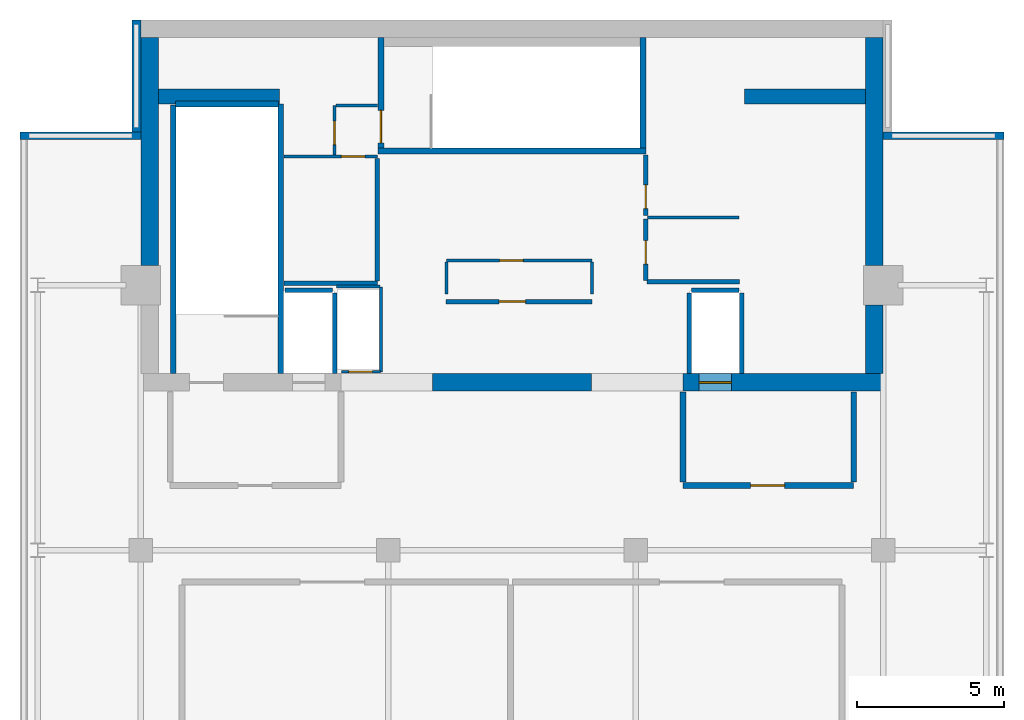
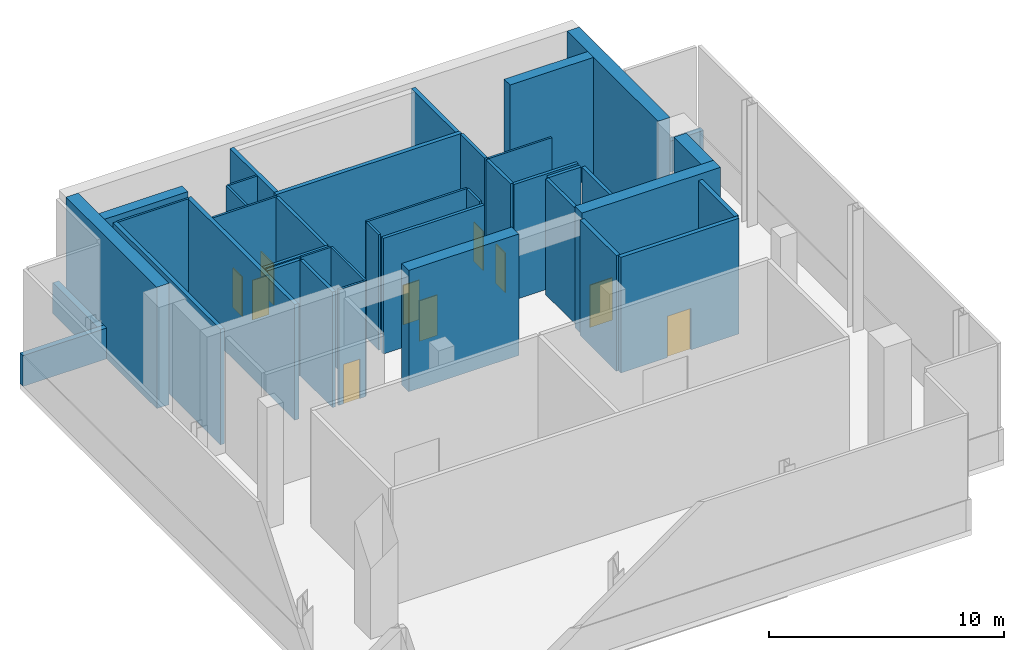
# One storey, part 2 of 4: 40 walls, 10 doors, 10 openings.
"""IFC4 building model written with IfcOpenShell, lengths in metres."""

import ifcopenshell
import ifcopenshell.guid

model = None  # the IFC model being written
_history = None  # IfcOwnerHistory: only IFC2X3 demands one
_inside = {}  # id of a spatial element -> (the spatial element, [elements in it])
_under = {}  # id of a project, library or spatial element -> (it, [spatial elements below it])
_declared = {}  # id of a project -> (the project, [libraries it declares])
_typed = {}  # id of a type object -> (the type object, [elements of that type])
_made_of = {}  # id of a material, layer set ... -> (it, [elements and type objects made of it])


def new_model(schema):
    """Start an empty IFC model of exactly this schema.

    Asked for "IFC4X3", IfcOpenShell would pick the latest addendum, in which some entities
    have other attributes; the version numbers below select the first issue.
    IFC2X3 requires an IfcOwnerHistory on every rooted entity: one is made here for all.
    """
    global model, _history
    if schema == "IFC4X3":
        model = ifcopenshell.file(schema_version=(4, 3, 0, 0))
    else:
        model = ifcopenshell.file(schema=schema)
    _inside.clear()
    _under.clear()
    _declared.clear()
    _typed.clear()
    _made_of.clear()
    _history = None
    if model.schema == "IFC2X3":
        org = make("IfcOrganization", Name="unknown")
        user = make(
            "IfcPersonAndOrganization",
            ThePerson=make("IfcPerson", FamilyName="unknown"),
            TheOrganization=org,
        )
        app = make(
            "IfcApplication",
            ApplicationDeveloper=org,
            Version="unknown",
            ApplicationFullName="unknown",
            ApplicationIdentifier="unknown",
        )
        _history = make(
            "IfcOwnerHistory",
            OwningUser=user,
            OwningApplication=app,
            ChangeAction="ADDED",
            CreationDate=0,
        )
    return model


def make(cls, **values):
    """One entity of the class cls with the attributes given. An attribute that is None is left unset."""
    return model.create_entity(
        cls, **{name: value for name, value in values.items() if value is not None}
    )


def rooted(cls, **values):
    """An entity with a GlobalId (a new one), such as an element, a storey or a relation."""
    return make(cls, GlobalId=ifcopenshell.guid.new(), OwnerHistory=_history, **values)


def si_unit(unit_type, name, prefix=None):
    """IfcSIUnit, for example si_unit("LENGTHUNIT", "METRE", prefix="MILLI")."""
    return make("IfcSIUnit", UnitType=unit_type, Prefix=prefix, Name=name)


def assignment(units):
    """IfcUnitAssignment: the units of a project."""
    return None if units is None else make("IfcUnitAssignment", Units=units)


def point(xyz):
    """IfcCartesianPoint."""
    return None if xyz is None else make("IfcCartesianPoint", Coordinates=xyz)


def direction(xyz):
    """IfcDirection."""
    return None if xyz is None else make("IfcDirection", DirectionRatios=xyz)


def frame(location, z_axis=None, x_axis=None):
    """IfcAxis2Placement3D, a coordinate frame: its origin and axes. An axis left out is left unset."""
    return make(
        "IfcAxis2Placement3D",
        Location=point(location),
        Axis=direction(z_axis),
        RefDirection=direction(x_axis),
    )


def frame_2d(location, x_axis=None):
    """IfcAxis2Placement2D, a coordinate frame in the plane: its origin and x axis."""
    return make(
        "IfcAxis2Placement2D", Location=point(location), RefDirection=direction(x_axis)
    )


def origin():
    """The frame at (0, 0, 0) with its axes left unset."""
    return frame((0.0, 0.0, 0.0))


def place(relative_to, where):
    """IfcLocalPlacement: puts the frame where relative to a parent placement (None: the world)."""
    return make(
        "IfcLocalPlacement", PlacementRelTo=relative_to, RelativePlacement=where
    )


def context(
    kind, dimensions, precision=None, world=None, true_north=None, identifier=None
):
    """IfcGeometricRepresentationContext, for example the 3D "Model" context."""
    return make(
        "IfcGeometricRepresentationContext",
        ContextIdentifier=identifier,
        ContextType=kind,
        CoordinateSpaceDimension=dimensions,
        Precision=precision,
        WorldCoordinateSystem=world,
        TrueNorth=true_north,
    )


def subcontext(parent, identifier, kind, view, scale=None):
    """IfcGeometricRepresentationSubContext, for example "Body" below "Model"."""
    return make(
        "IfcGeometricRepresentationSubContext",
        ContextIdentifier=identifier,
        ContextType=kind,
        ParentContext=parent,
        TargetScale=scale,
        TargetView=view,
    )


def project(units=None, contexts=None):
    """IfcProject with its units and contexts."""
    return rooted(
        "IfcProject",
        Name="project",
        RepresentationContexts=contexts,
        UnitsInContext=assignment(units),
    )


def spatial(cls, under=None, at=None, **own):
    """A site, building, storey or space (cls), placed at a placement, below another one or the project."""
    s = rooted(cls, ObjectPlacement=at, **own)
    if under is not None:
        _under.setdefault(under.id(), (under, []))[1].append(s)
    return s


def profile(cls, at=None, kind="AREA", **sizes):
    """A parametric profile (cls). Its sizes go by their IFC names, for example OverallWidth=200.0."""
    return make(cls, ProfileType=kind, Position=at, **sizes)


def rectangle(**sizes):
    """IfcRectangleProfileDef."""
    return profile("IfcRectangleProfileDef", **sizes)


def extrude(swept, where, along, depth):
    """IfcExtrudedAreaSolid: the profile swept, set in the frame where, extruded along a direction by depth."""
    return make(
        "IfcExtrudedAreaSolid",
        SweptArea=swept,
        Position=where,
        ExtrudedDirection=direction(along),
        Depth=depth,
    )


def shape(context_of_items, identifier, shape_type, items):
    """IfcShapeRepresentation: the items that make up one representation, for example the "Body"."""
    return make(
        "IfcShapeRepresentation",
        ContextOfItems=context_of_items,
        RepresentationIdentifier=identifier,
        RepresentationType=shape_type,
        Items=items,
    )


def material(Name=None, Category=None):
    """IfcMaterial."""
    return make("IfcMaterial", Name=Name, Category=Category)


def layer(
    of_material, thickness, ventilated=None, Name=None, Category=None, Priority=None
):
    """IfcMaterialLayer: one layer of a wall or slab, of a material (None: an air gap)."""
    return make(
        "IfcMaterialLayer",
        Material=of_material,
        LayerThickness=thickness,
        IsVentilated=ventilated,
        Name=Name,
        Category=Category,
        Priority=Priority,
    )


def layer_set(layers, Name=None):
    """IfcMaterialLayerSet."""
    return make("IfcMaterialLayerSet", MaterialLayers=layers, LayerSetName=Name)


def made_of(thing, what):
    """Note that an element or type object is made of a material, layer set ...; save() writes the relation."""
    if what is not None:
        _made_of.setdefault(what.id(), (what, []))[1].append(thing)
    return thing


def type_object(cls, material=None, **own):
    """A type object (cls), such as IfcWallType, which elements share."""
    return made_of(rooted(cls, **own), material)


def element(
    cls,
    number,
    at=None,
    inside=None,
    cuts=None,
    type_object=None,
    material=None,
    context=None,
    identifier="Body",
    shape_type=None,
    held_by="IfcProductDefinitionShape",
    body=None,
    shapes=None,
    **own,
):
    """One element of the class cls, such as IfcWall. Its Tag is "e" and its number.

    at: its placement. inside: the storey or other place that contains it. cuts: it is an
    opening in that element (IfcRelVoidsElement). A single representation is given by context,
    identifier, shape_type and body (its items); several are given by shapes. held_by: the class
    of the entity that holds the representations. save() writes the other relations.
    """
    e = rooted(cls, Tag="e%d" % number, ObjectPlacement=at, **own)
    if body is not None:
        shapes = [shape(context, identifier, shape_type, body)]
    if shapes is not None:
        e.Representation = make(held_by, Representations=shapes)
    if inside is not None:
        _inside.setdefault(inside.id(), (inside, []))[1].append(e)
    if cuts is not None:
        rooted(
            "IfcRelVoidsElement", RelatingBuildingElement=cuts, RelatedOpeningElement=e
        )
    if type_object is not None:
        _typed.setdefault(type_object.id(), (type_object, []))[1].append(e)
    return made_of(e, material)


def fill(opening, filler):
    """IfcRelFillsElement: the door or window that sits in an opening."""
    return rooted(
        "IfcRelFillsElement",
        RelatingOpeningElement=opening,
        RelatedBuildingElement=filler,
    )


def aggregate(whole, parts):
    """IfcRelAggregates: a whole, such as a stair, and the parts it consists of."""
    return rooted("IfcRelAggregates", RelatingObject=whole, RelatedObjects=parts)


def save(model, path):
    """Write the relations noted so far, then the file.

    IfcRelAggregates (storeys below a building ...), IfcRelContainedInSpatialStructure (elements
    in a storey), IfcRelDefinesByType, IfcRelAssociatesMaterial and IfcRelDeclares: one each for
    every whole, place, type object, material and project.
    """
    for whole, parts in _under.values():
        aggregate(whole, parts)
    for where, things in _inside.values():
        rooted(
            "IfcRelContainedInSpatialStructure",
            RelatedElements=things,
            RelatingStructure=where,
        )
    for kind, things in _typed.values():
        rooted("IfcRelDefinesByType", RelatedObjects=things, RelatingType=kind)
    for what, things in _made_of.values():
        rooted("IfcRelAssociatesMaterial", RelatedObjects=things, RelatingMaterial=what)
    for by, libraries in _declared.values():
        rooted("IfcRelDeclares", RelatingContext=by, RelatedDefinitions=libraries)
    model.write(path)


model = new_model("IFC4")

# Units and contexts
model_context = context("Model", 3, precision=1e-05, world=origin(), true_north=direction((0.0, 1.0)))
body_context = subcontext(model_context, "Body", "Model", "MODEL_VIEW")
ifc_project = project(units=[si_unit("LENGTHUNIT", "METRE"), si_unit("AREAUNIT", "SQUARE_METRE"), si_unit("VOLUMEUNIT", "CUBIC_METRE"), si_unit("PLANEANGLEUNIT", "RADIAN"), si_unit("MASSUNIT", "GRAM", prefix="KILO")], contexts=[model_context])

# Site, building, storey
site_placement = place(None, origin())
site = spatial("IfcSite", under=ifc_project, at=site_placement, CompositionType="ELEMENT")
building_placement = place(site_placement, origin())
building = spatial("IfcBuilding", under=site, at=building_placement, Name="Maruvema Waterfront Hotel and Observation Tower", CompositionType="ELEMENT")
storey_placement = place(building_placement, frame((0.0, 0.0, 369.949951171875)))
storey = spatial("IfcBuildingStorey", under=building, at=storey_placement, Name="L90", CompositionType="ELEMENT", Elevation=369.949951171875)

# Wall, opening, door
ifc_material_1 = material(Name="Twin-stud acoustic gypsum drywall", Category="gypsum")
ifc_layer_1 = layer(ifc_material_1, 0.14990234375, Name="Acoustic Corridor and Suite Demising Wall 150 mm")
ifc_layer_set_1 = layer_set([ifc_layer_1], Name="Twin-stud acoustic gypsum drywall")
wall_type_1 = type_object("IfcWallType", Name="Acoustic Corridor and Suite Demising Wall 150 mm", PredefinedType="PARTITIONING", material=ifc_layer_set_1)
wall_1_placement = place(storey_placement, frame((35.56005859375, 44.43994140625, 0.0), z_axis=(0.0, 0.0, 1.0), x_axis=(1.0, 0.0, 0.0)))
wall_1 = element("IfcWall", 1, at=wall_1_placement, inside=storey, type_object=wall_type_1, Name="L90 Freed B3 Wall 013", PredefinedType="PARTITIONING", context=body_context, shape_type="SweptSolid", body=[
    extrude(rectangle(XDim=4.9599609375, YDim=0.14990234375, at=frame_2d((2.47998046875, 0.0))), origin(), (0.0, 0.0, 1.0), 6.0),
])
opening_1_placement = place(wall_1_placement, frame((1.800048828125, 0.0, 0.0)))
opening_1 = element("IfcOpeningElement", 2, at=opening_1_placement, cuts=wall_1, Name="Opening DR-090", PredefinedType="OPENING", context=body_context, shape_type="SweptSolid", body=[
    extrude(rectangle(XDim=0.89990234375, YDim=2.10009765625, at=frame_2d((0.449951171875, 1.050048828125))), frame((0.0, 0.0849609375, 0.0), z_axis=(0.0, -1.0, 0.0), x_axis=(1.0, 0.0, 0.0)), (0.0, 0.0, 1.0), 0.169921875),
])
ifc_material_2 = material(Name="Solid-core lacquered timber leaf", Category="wood")
door_type_1 = type_object("IfcDoorType", Name="Accessible Toilet and Room Door 900x2100 mm", OperationType="NOTDEFINED", PredefinedType="DOOR", material=ifc_material_2)
door_1_placement = place(opening_1_placement, origin())
door_1 = element("IfcDoor", 3, at=door_1_placement, inside=storey, type_object=door_type_1, Name="L90 Freed B3 Door", OperationType="SINGLE_SWING_RIGHT", OverallHeight=2.10009765625, OverallWidth=0.89990234375, PredefinedType="DOOR", context=body_context, shape_type="SweptSolid", body=[
    extrude(rectangle(XDim=0.89990234375, YDim=2.10009765625, at=frame_2d((0.449951171875, 1.050048828125))), frame((0.0, 0.02490234375, 0.0), z_axis=(0.0, -1.0, 0.0), x_axis=(1.0, 0.0, 0.0)), (0.0, 0.0, 1.0), 0.050048828125),
])
fill(opening_1, door_1)

# Walls
wall_2_placement = place(storey_placement, frame((30.06005859375, 45.06005859375, 0.0), z_axis=(0.0, 0.0, 1.0), x_axis=(1.0, 0.0, 0.0)))
element("IfcWall", 4, at=wall_2_placement, inside=storey, type_object=wall_type_1, Name="L90 Freed B1 South Wall 014", PredefinedType="PARTITIONING", context=body_context, shape_type="SweptSolid", body=[
    extrude(rectangle(XDim=3.179931640625, YDim=0.14990234375, at=frame_2d((1.58984375, 0.0))), origin(), (0.0, 0.0, 1.0), 6.0),
])
wall_3_placement = place(storey_placement, frame((33.219970703125, 45.139892578125, 0.0), z_axis=(0.0, 0.0, 1.0), x_axis=(0.0, 1.0, 0.0)))
element("IfcWall", 5, at=wall_3_placement, inside=storey, type_object=wall_type_1, Name="L90 Freed B1 East Wall 015", PredefinedType="PARTITIONING", context=body_context, shape_type="SweptSolid", body=[
    extrude(rectangle(XDim=4.16015625, YDim=0.14990234375, at=frame_2d((2.080078125, 0.0))), origin(), (0.0, 0.0, 1.0), 6.0),
])

# Wall, opening, door
wall_4_placement = place(storey_placement, frame((42.340087890625, 45.159912109375, 0.0), z_axis=(0.0, 0.0, 1.0), x_axis=(0.0, 1.0, 0.0)))
wall_4 = element("IfcWall", 6, at=wall_4_placement, inside=storey, type_object=wall_type_1, Name="L90 Freed B2 West S 019", PredefinedType="PARTITIONING", context=body_context, shape_type="SweptSolid", body=[
    extrude(rectangle(XDim=2.080078125, YDim=0.14990234375, at=frame_2d((1.0400390625, 0.0))), origin(), (0.0, 0.0, 1.0), 6.0),
])
opening_2_placement = place(wall_4_placement, frame((0.550048828125, 0.0, 0.0)))
opening_2 = element("IfcOpeningElement", 7, at=opening_2_placement, cuts=wall_4, Name="Opening DR-080", PredefinedType="OPENING", context=body_context, shape_type="SweptSolid", body=[
    extrude(rectangle(XDim=0.800048828125, YDim=2.050048828125, at=frame_2d((0.39990234375, 1.02490234375))), frame((0.0, 0.0849609375, 0.0), z_axis=(0.0, -1.0, 0.0), x_axis=(1.0, 0.0, 0.0)), (0.0, 0.0, 1.0), 0.169921875),
])
ifc_material_3 = material(Name="Powder-coated steel access leaf", Category="steel")
door_type_2 = type_object("IfcDoorType", Name="Riser and Service Cupboard Door 800x2050 mm", OperationType="NOTDEFINED", PredefinedType="DOOR", material=ifc_material_3)
door_2_placement = place(opening_2_placement, frame((0.800048828125, 0.0, 0.0), z_axis=(0.0, 0.0, 1.0), x_axis=(-1.0, 0.0, 0.0)))
door_2 = element("IfcDoor", 8, at=door_2_placement, inside=storey, type_object=door_type_2, Name="L90 Plant Comms Store Door", OperationType="SINGLE_SWING_LEFT", OverallHeight=2.050048828125, OverallWidth=0.800048828125, PredefinedType="DOOR", context=body_context, shape_type="SweptSolid", body=[
    extrude(rectangle(XDim=0.800048828125, YDim=2.050048828125, at=frame_2d((0.39990234375, 1.02490234375))), frame((0.0, 0.02490234375, 0.0), z_axis=(0.0, -1.0, 0.0), x_axis=(1.0, 0.0, 0.0)), (0.0, 0.0, 1.0), 0.050048828125),
])
fill(opening_2, door_2)

wall_5_placement = place(storey_placement, frame((42.340087890625, 47.360107421875, 0.0), z_axis=(0.0, 0.0, 1.0), x_axis=(0.0, 1.0, 0.0)))
wall_5 = element("IfcWall", 9, at=wall_5_placement, inside=storey, type_object=wall_type_1, Name="L90 Freed B2 West N 020", PredefinedType="PARTITIONING", context=body_context, shape_type="SweptSolid", body=[
    extrude(rectangle(XDim=2.059814453125, YDim=0.14990234375, at=frame_2d((1.02978515625, 0.0))), origin(), (0.0, 0.0, 1.0), 6.0),
])
opening_3_placement = place(wall_5_placement, frame((0.239990234375, 0.0, 0.0)))
opening_3 = element("IfcOpeningElement", 10, at=opening_3_placement, cuts=wall_5, Name="Opening DR-080", PredefinedType="OPENING", context=body_context, shape_type="SweptSolid", body=[
    extrude(rectangle(XDim=0.800048828125, YDim=2.050048828125, at=frame_2d((0.39990234375, 1.02490234375))), frame((0.0, 0.0849609375, 0.0), z_axis=(0.0, -1.0, 0.0), x_axis=(1.0, 0.0, 0.0)), (0.0, 0.0, 1.0), 0.169921875),
])
door_3_placement = place(opening_3_placement, frame((0.800048828125, 0.0, 0.0), z_axis=(0.0, 0.0, 1.0), x_axis=(-1.0, 0.0, 0.0)))
door_3 = element("IfcDoor", 11, at=door_3_placement, inside=storey, type_object=door_type_2, Name="L90 Plant Meter Closet East Door", OperationType="SINGLE_SWING_RIGHT", OverallHeight=2.050048828125, OverallWidth=0.800048828125, PredefinedType="DOOR", context=body_context, shape_type="SweptSolid", body=[
    extrude(rectangle(XDim=0.800048828125, YDim=2.050048828125, at=frame_2d((0.39990234375, 1.02490234375))), frame((0.0, 0.02490234375, 0.0), z_axis=(0.0, -1.0, 0.0), x_axis=(1.0, 0.0, 0.0)), (0.0, 0.0, 1.0), 0.050048828125),
])
fill(opening_3, door_3)

# Walls
wall_6_placement = place(storey_placement, frame((42.3798828125, 45.1201171875, 0.0), z_axis=(0.0, 0.0, 1.0), x_axis=(1.0, 0.0, 0.0)))
element("IfcWall", 12, at=wall_6_placement, inside=storey, type_object=wall_type_1, Name="L90 Freed B2 South Wall 022", PredefinedType="PARTITIONING", context=body_context, shape_type="SweptSolid", body=[
    extrude(rectangle(XDim=3.14013671875, YDim=0.14990234375, at=frame_2d((1.570068359375, 0.0))), origin(), (0.0, 0.0, 1.0), 6.0),
])
ifc_material_4 = material(Name="Precast concrete C45/55", Category="concrete")
ifc_layer_2 = layer(ifc_material_4, 0.199951171875, Name="Core Shaft and Stairwell Enclosure Wall 200 mm")
ifc_layer_set_2 = layer_set([ifc_layer_2], Name="Precast concrete C45/55")
wall_type_2 = type_object("IfcWallType", Name="Core Shaft and Stairwell Enclosure Wall 200 mm", PredefinedType="SOLIDWALL", material=ifc_layer_set_2)
wall_7_placement = place(storey_placement, frame((29.949951171875, 42.0, 0.0), z_axis=(0.0, 0.0, 1.0), x_axis=(0.0, 1.0, 0.0)))
element("IfcWall", 13, at=wall_7_placement, inside=storey, type_object=wall_type_2, Name="L90 Stairwell ST-01 East Shaft Wall", PredefinedType="SOLIDWALL", context=body_context, shape_type="SweptSolid", body=[
    extrude(rectangle(XDim=9.14990234375, YDim=0.199951171875, at=frame_2d((4.574951171875, 0.0))), origin(), (0.0, 0.0, 1.0), 6.0),
])
wall_8_placement = place(storey_placement, frame((26.300048828125, 42.0, 0.0), z_axis=(0.0, 0.0, 1.0), x_axis=(0.0, 1.0, 0.0)))
element("IfcWall", 14, at=wall_8_placement, inside=storey, type_object=wall_type_2, Name="L90 Stairwell ST-01 Shaft Lining Wall", PredefinedType="SOLIDWALL", context=body_context, shape_type="SweptSolid", body=[
    extrude(rectangle(XDim=9.1201171875, YDim=0.199951171875, at=frame_2d((4.56005859375, 0.0))), origin(), (0.0, 0.0, 1.0), 6.0),
])
wall_9_placement = place(storey_placement, frame((26.3798828125, 51.14990234375, 0.0), z_axis=(0.0, 0.0, 1.0), x_axis=(1.0, 0.0, 0.0)))
element("IfcWall", 15, at=wall_9_placement, inside=storey, type_object=wall_type_2, Name="L90 Stairwell ST-01 Shaft Lining Wall", PredefinedType="SOLIDWALL", context=body_context, shape_type="SweptSolid", body=[
    extrude(rectangle(XDim=3.5, YDim=0.199951171875, at=frame_2d((1.75, 0.0))), origin(), (0.0, 0.0, 1.0), 6.0),
])
wall_10_placement = place(storey_placement, frame((33.25, 49.550048828125, 0.0), z_axis=(0.0, 0.0, 1.0), x_axis=(1.0, 0.0, 0.0)))
element("IfcWall", 16, at=wall_10_placement, inside=storey, type_object=wall_type_2, Name="L90 Stairwell ST-02 Shaft Wall", PredefinedType="SOLIDWALL", context=body_context, shape_type="SweptSolid", body=[
    extrude(rectangle(XDim=9.10009765625, YDim=0.199951171875, at=frame_2d((4.550048828125, 0.0))), origin(), (0.0, 0.0, 1.0), 6.0),
])
wall_11_placement = place(storey_placement, frame((42.25, 49.64990234375, 0.0), z_axis=(0.0, 0.0, 1.0), x_axis=(0.0, 1.0, 0.0)))
element("IfcWall", 17, at=wall_11_placement, inside=storey, type_object=wall_type_2, Name="L90 Stairwell ST-02 Shaft Wall", PredefinedType="SOLIDWALL", context=body_context, shape_type="SweptSolid", body=[
    extrude(rectangle(XDim=3.75, YDim=0.199951171875, at=frame_2d((1.875, 0.0))), origin(), (0.0, 0.0, 1.0), 6.0),
])

# Wall, opening, door
wall_12_placement = place(storey_placement, frame((33.35009765625, 49.64990234375, 0.0), z_axis=(0.0, 0.0, 1.0), x_axis=(0.0, 1.0, 0.0)))
wall_12 = element("IfcWall", 18, at=wall_12_placement, inside=storey, type_object=wall_type_2, Name="L90 Stairwell ST-02 Shaft Wall", PredefinedType="SOLIDWALL", context=body_context, shape_type="SweptSolid", body=[
    extrude(rectangle(XDim=3.75, YDim=0.199951171875, at=frame_2d((1.875, 0.0))), origin(), (0.0, 0.0, 1.0), 6.0),
])
opening_4_placement = place(wall_12_placement, frame((0.179931640625, 0.0, 0.0)))
opening_4 = element("IfcOpeningElement", 19, at=opening_4_placement, cuts=wall_12, Name="Opening SD-02", PredefinedType="OPENING", context=body_context, shape_type="SweptSolid", body=[
    extrude(rectangle(XDim=1.10009765625, YDim=2.14990234375, at=frame_2d((0.550048828125, 1.074951171875))), frame((0.0, 0.10986328125, 0.0), z_axis=(0.0, -1.0, 0.0), x_axis=(1.0, 0.0, 0.0)), (0.0, 0.0, 1.0), 0.219970703125),
])
ifc_material_5 = material(Name="Fire-rated galvanised steel leaf", Category="steel")
door_type_3 = type_object("IfcDoorType", Name="Central Exit Stair Fire Door 1100x2150 mm", OperationType="NOTDEFINED", PredefinedType="DOOR", material=ifc_material_5)
door_4_placement = place(opening_4_placement, frame((1.10009765625, 0.0, 0.0), z_axis=(0.0, 0.0, 1.0), x_axis=(-1.0, 0.0, 0.0)))
door_4 = element("IfcDoor", 20, at=door_4_placement, inside=storey, type_object=door_type_3, Name="L90 Exit Stair ST-02 Fire Door", OperationType="SINGLE_SWING_LEFT", OverallHeight=2.14990234375, OverallWidth=1.10009765625, PredefinedType="DOOR", context=body_context, shape_type="SweptSolid", body=[
    extrude(rectangle(XDim=1.10009765625, YDim=2.14990234375, at=frame_2d((0.550048828125, 1.074951171875))), frame((0.0, 0.02490234375, 0.0), z_axis=(0.0, -1.0, 0.0), x_axis=(1.0, 0.0, 0.0)), (0.0, 0.0, 1.0), 0.050048828125),
])
fill(opening_4, door_4)

# Walls
ifc_material_6 = material(Name="Concrete C70/85", Category="concrete")
ifc_layer_3 = layer(ifc_material_6, 0.5, Name="Core Shear Wall 500 mm")
ifc_layer_set_3 = layer_set([ifc_layer_3], Name="Concrete C70/85")
wall_type_3 = type_object("IfcWallType", Name="Core Shear Wall 500 mm", PredefinedType="SHEAR", material=ifc_layer_set_3)
wall_13_placement = place(storey_placement, frame((25.800048828125, 51.39990234375, 0.0), z_axis=(0.0, 0.0, 1.0), x_axis=(1.0, 0.0, 0.0)))
element("IfcWall", 21, at=wall_13_placement, inside=storey, type_object=wall_type_3, Name="L90 Internal Core Shear Wall NW 500 mm", PredefinedType="SHEAR", context=body_context, shape_type="SweptSolid", body=[
    extrude(rectangle(XDim=4.099853515625, YDim=0.5, at=frame_2d((2.0498046875, 0.0))), origin(), (0.0, 0.0, 1.0), 6.300048828125),
])
wall_14_placement = place(storey_placement, frame((45.699951171875, 51.39990234375, 0.0), z_axis=(0.0, 0.0, 1.0), x_axis=(1.0, 0.0, 0.0)))
element("IfcWall", 22, at=wall_14_placement, inside=storey, type_object=wall_type_3, Name="L90 Internal Core Shear Wall NE 500 mm", PredefinedType="SHEAR", context=body_context, shape_type="SweptSolid", body=[
    extrude(rectangle(XDim=4.10009765625, YDim=0.5, at=frame_2d((2.050048828125, 0.0))), origin(), (0.0, 0.0, 1.0), 6.300048828125),
])
ifc_material_7 = material(Name="Concrete C60/75", Category="concrete")
ifc_layer_4 = layer(ifc_material_7, 0.60009765625, Name="Core Shear Wall 600 mm")
ifc_layer_set_4 = layer_set([ifc_layer_4], Name="Concrete C60/75")
wall_type_4 = type_object("IfcWallType", Name="Core Shear Wall 600 mm", PredefinedType="SHEAR", material=ifc_layer_set_4)
wall_15_placement = place(storey_placement, frame((35.10009765625, 41.699951171875, 0.0), z_axis=(0.0, 0.0, 1.0), x_axis=(1.0, 0.0, 0.0)))
element("IfcWall", 23, at=wall_15_placement, inside=storey, type_object=wall_type_4, Name="L90 South-Central Core Shear Wall", PredefinedType="SHEAR", context=body_context, shape_type="SweptSolid", body=[
    extrude(rectangle(XDim=5.39990234375, YDim=0.60009765625, at=frame_2d((2.699951171875, 0.0))), origin(), (0.0, 0.0, 1.0), 6.300048828125),
])

# Wall, opening, door
wall_16_placement = place(storey_placement, frame((43.60009765625, 41.699951171875, 0.0), z_axis=(0.0, 0.0, 1.0), x_axis=(1.0, 0.0, 0.0)))
wall_16 = element("IfcWall", 24, at=wall_16_placement, inside=storey, type_object=wall_type_4, Name="L90 South-East Core Shear Wall", PredefinedType="SHEAR", context=body_context, shape_type="SweptSolid", body=[
    extrude(rectangle(XDim=6.7998046875, YDim=0.60009765625, at=frame_2d((3.39990234375, 0.0))), origin(), (0.0, 0.0, 1.0), 6.300048828125),
])
opening_5_placement = place(wall_16_placement, frame((0.550048828125, 0.0, 0.0)))
opening_5 = element("IfcOpeningElement", 25, at=opening_5_placement, cuts=wall_16, Name="Opening LD-03", PredefinedType="OPENING", context=body_context, shape_type="SweptSolid", body=[
    extrude(rectangle(XDim=1.10009765625, YDim=2.199951171875, at=frame_2d((0.550048828125, 1.10009765625))), frame((0.0, 0.31005859375, 0.0), z_axis=(0.0, -1.0, 0.0), x_axis=(1.0, 0.0, 0.0)), (0.0, 0.0, 1.0), 0.6201171875),
])
ifc_material_8 = material(Name="Brushed stainless steel Grade 316", Category="steel")
door_type_4 = type_object("IfcDoorType", Name="Firefighting Lift Sliding Landing Door 1100x2200 mm", OperationType="SLIDING_TO_LEFT", PredefinedType="DOOR", material=ifc_material_8)
door_5_placement = place(opening_5_placement, frame((1.10009765625, 0.0, 0.0), z_axis=(0.0, 0.0, 1.0), x_axis=(-1.0, 0.0, 0.0)))
door_5 = element("IfcDoor", 26, at=door_5_placement, inside=storey, type_object=door_type_4, Name="L90 Firefighting Lift FL-02 Landing Door", OperationType="SLIDING_TO_LEFT", OverallHeight=2.199951171875, OverallWidth=1.10009765625, PredefinedType="DOOR", context=body_context, shape_type="SweptSolid", body=[
    extrude(rectangle(XDim=1.10009765625, YDim=2.199951171875, at=frame_2d((0.550048828125, 1.10009765625))), frame((0.0, 0.02490234375, 0.0), z_axis=(0.0, -1.0, 0.0), x_axis=(1.0, 0.0, 0.0)), (0.0, 0.0, 1.0), 0.050048828125),
])
fill(opening_5, door_5)

# Walls
wall_17_placement = place(storey_placement, frame((25.5, 45.675048828125, 0.0), z_axis=(0.0, 0.0, 1.0), x_axis=(0.0, 1.0, 0.0)))
element("IfcWall", 27, at=wall_17_placement, inside=storey, type_object=wall_type_4, Name="L90 West-North Core Shear Wall", PredefinedType="SHEAR", context=body_context, shape_type="SweptSolid", body=[
    extrude(rectangle(XDim=7.724853515625, YDim=0.60009765625, at=frame_2d((3.8623046875, 0.0))), origin(), (0.0, 0.0, 1.0), 6.300048828125),
])
wall_18_placement = place(storey_placement, frame((50.10009765625, 42.0, 0.0), z_axis=(0.0, 0.0, 1.0), x_axis=(0.0, 1.0, 0.0)))
element("IfcWall", 28, at=wall_18_placement, inside=storey, type_object=wall_type_4, Name="L90 East-South Core Shear Wall", PredefinedType="SHEAR", context=body_context, shape_type="SweptSolid", body=[
    extrude(rectangle(XDim=2.324951171875, YDim=0.60009765625, at=frame_2d((1.16259765625, 0.0))), origin(), (0.0, 0.0, 1.0), 6.300048828125),
])
wall_19_placement = place(storey_placement, frame((50.10009765625, 45.675048828125, 0.0), z_axis=(0.0, 0.0, 1.0), x_axis=(0.0, 1.0, 0.0)))
element("IfcWall", 29, at=wall_19_placement, inside=storey, type_object=wall_type_4, Name="L90 East-North Core Shear Wall", PredefinedType="SHEAR", context=body_context, shape_type="SweptSolid", body=[
    extrude(rectangle(XDim=7.724853515625, YDim=0.60009765625, at=frame_2d((3.8623046875, 0.0))), origin(), (0.0, 0.0, 1.0), 6.300048828125),
])

# Wall, opening, door
ifc_material_9 = material(Name="Moisture-resistant cement-board drywall", Category="gypsum")
ifc_layer_5 = layer(ifc_material_9, 0.10009765625, Name="En-Suite Moisture-Resistant Partition 100 mm")
ifc_layer_set_5 = layer_set([ifc_layer_5], Name="Moisture-resistant cement-board drywall")
wall_type_5 = type_object("IfcWallType", Name="En-Suite Moisture-Resistant Partition 100 mm", PredefinedType="PARTITIONING", material=ifc_layer_set_5)
wall_20_placement = place(storey_placement, frame((32.02001953125, 42.06005859375, 0.0), z_axis=(0.0, 0.0, 1.0), x_axis=(1.0, 0.0, 0.0)))
wall_20 = element("IfcWall", 30, at=wall_20_placement, inside=storey, type_object=wall_type_5, Name="L90 Telecom Riser South Wall 007", PredefinedType="PARTITIONING", context=body_context, shape_type="SweptSolid", body=[
    extrude(rectangle(XDim=1.320068359375, YDim=0.10009765625, at=frame_2d((0.66015625, 0.0))), origin(), (0.0, 0.0, 1.0), 6.0),
])
opening_6_placement = place(wall_20_placement, frame((0.239990234375, 0.0, 0.0)))
opening_6 = element("IfcOpeningElement", 31, at=opening_6_placement, cuts=wall_20, Name="Opening DR-080", PredefinedType="OPENING", context=body_context, shape_type="SweptSolid", body=[
    extrude(rectangle(XDim=0.800048828125, YDim=2.050048828125, at=frame_2d((0.39990234375, 1.02490234375))), frame((0.0, 0.06005859375, 0.0), z_axis=(0.0, -1.0, 0.0), x_axis=(1.0, 0.0, 0.0)), (0.0, 0.0, 1.0), 0.1201171875),
])
door_6_placement = place(opening_6_placement, frame((0.800048828125, 0.0, 0.0), z_axis=(0.0, 0.0, 1.0), x_axis=(-1.0, 0.0, 0.0)))
door_6 = element("IfcDoor", 32, at=door_6_placement, inside=storey, type_object=door_type_2, Name="L90 Telecom Riser Door", OperationType="SINGLE_SWING_RIGHT", OverallHeight=2.050048828125, OverallWidth=0.800048828125, PredefinedType="DOOR", context=body_context, shape_type="SweptSolid", body=[
    extrude(rectangle(XDim=0.800048828125, YDim=2.050048828125, at=frame_2d((0.39990234375, 1.02490234375))), frame((0.0, 0.02490234375, 0.0), z_axis=(0.0, -1.0, 0.0), x_axis=(1.0, 0.0, 0.0)), (0.0, 0.0, 1.0), 0.050048828125),
])
fill(opening_6, door_6)

# Walls
wall_21_placement = place(storey_placement, frame((31.840087890625, 44.9599609375, 0.0), z_axis=(0.0, 0.0, 1.0), x_axis=(1.0, 0.0, 0.0)))
element("IfcWall", 33, at=wall_21_placement, inside=storey, type_object=wall_type_5, Name="L90 Telecom Riser North Wall 008", PredefinedType="PARTITIONING", context=body_context, shape_type="SweptSolid", body=[
    extrude(rectangle(XDim=1.47998046875, YDim=0.10009765625, at=frame_2d((0.739990234375, 0.0))), origin(), (0.0, 0.0, 1.0), 6.0),
])
wall_22_placement = place(storey_placement, frame((33.360107421875, 42.06005859375, 0.0), z_axis=(0.0, 0.0, 1.0), x_axis=(0.0, 1.0, 0.0)))
element("IfcWall", 34, at=wall_22_placement, inside=storey, type_object=wall_type_5, Name="L90 Telecom Riser East Wall 009", PredefinedType="PARTITIONING", context=body_context, shape_type="SweptSolid", body=[
    extrude(rectangle(XDim=2.8798828125, YDim=0.10009765625, at=frame_2d((1.43994140625, 0.0))), origin(), (0.0, 0.0, 1.0), 6.0),
])

# Wall, opening, door
wall_23_placement = place(storey_placement, frame((35.580078125, 45.840087890625, 0.0), z_axis=(0.0, 0.0, 1.0), x_axis=(1.0, 0.0, 0.0)))
wall_23 = element("IfcWall", 35, at=wall_23_placement, inside=storey, type_object=wall_type_5, Name="L90 Core Closet K0 North 010", PredefinedType="PARTITIONING", context=body_context, shape_type="SweptSolid", body=[
    extrude(rectangle(XDim=4.93994140625, YDim=0.10009765625, at=frame_2d((2.469970703125, 0.0))), origin(), (0.0, 0.0, 1.0), 6.0),
])
opening_7_placement = place(wall_23_placement, frame((1.800048828125, 0.0, 0.0)))
opening_7 = element("IfcOpeningElement", 36, at=opening_7_placement, cuts=wall_23, Name="Opening DR-080", PredefinedType="OPENING", context=body_context, shape_type="SweptSolid", body=[
    extrude(rectangle(XDim=0.800048828125, YDim=2.050048828125, at=frame_2d((0.39990234375, 1.02490234375))), frame((0.0, 0.06005859375, 0.0), z_axis=(0.0, -1.0, 0.0), x_axis=(1.0, 0.0, 0.0)), (0.0, 0.0, 1.0), 0.1201171875),
])
door_7_placement = place(opening_7_placement, origin())
door_7 = element("IfcDoor", 37, at=door_7_placement, inside=storey, type_object=door_type_2, Name="L90 Plant Electrical Closet Door", OperationType="SINGLE_SWING_LEFT", OverallHeight=2.050048828125, OverallWidth=0.800048828125, PredefinedType="DOOR", context=body_context, shape_type="SweptSolid", body=[
    extrude(rectangle(XDim=0.800048828125, YDim=2.050048828125, at=frame_2d((0.39990234375, 1.02490234375))), frame((0.0, 0.02490234375, 0.0), z_axis=(0.0, -1.0, 0.0), x_axis=(1.0, 0.0, 0.0)), (0.0, 0.0, 1.0), 0.050048828125),
])
fill(opening_7, door_7)

# Walls
for number, where, z_axis, x_axis, name in (
    (38, (35.580078125, 44.699951171875, 0.0), (0.0, 0.0, 1.0), (0.0, 1.0, 0.0), "L90 Core Closet K0 West 011"),
    (39, (40.52001953125, 44.699951171875, 0.0), (0.0, 0.0, 1.0), (0.0, 1.0, 0.0), "L90 Core Closet K0 East 012"),
):
    element("IfcWall", number, at=place(storey_placement, frame(where, z_axis=z_axis, x_axis=x_axis)), inside=storey, type_object=wall_type_5, Name=name, PredefinedType="PARTITIONING", context=body_context, shape_type="SweptSolid", body=[
        extrude(rectangle(XDim=1.080078125, YDim=0.10009765625, at=frame_2d((0.5400390625, 0.0))), origin(), (0.0, 0.0, 1.0), 6.0),
    ])

# Wall, opening, door
wall_24_placement = place(storey_placement, frame((30.06005859375, 49.360107421875, 0.0), z_axis=(0.0, 0.0, 1.0), x_axis=(1.0, 0.0, 0.0)))
wall_24 = element("IfcWall", 40, at=wall_24_placement, inside=storey, type_object=wall_type_5, Name="L90 Freed B1 Mid Wall 016", PredefinedType="PARTITIONING", context=body_context, shape_type="SweptSolid", body=[
    extrude(rectangle(XDim=3.179931640625, YDim=0.10009765625, at=frame_2d((1.58984375, 0.0))), origin(), (0.0, 0.0, 1.0), 6.0),
])
opening_8_placement = place(wall_24_placement, frame((1.949951171875, 0.0, 0.0)))
opening_8 = element("IfcOpeningElement", 41, at=opening_8_placement, cuts=wall_24, Name="Opening DR-080", PredefinedType="OPENING", context=body_context, shape_type="SweptSolid", body=[
    extrude(rectangle(XDim=0.800048828125, YDim=2.050048828125, at=frame_2d((0.39990234375, 1.02490234375))), frame((0.0, 0.06005859375, 0.0), z_axis=(0.0, -1.0, 0.0), x_axis=(1.0, 0.0, 0.0)), (0.0, 0.0, 1.0), 0.1201171875),
])
door_8_placement = place(opening_8_placement, origin())
door_8 = element("IfcDoor", 42, at=door_8_placement, inside=storey, type_object=door_type_2, Name="L90 Plant Equipment Store West Door", OperationType="SINGLE_SWING_LEFT", OverallHeight=2.050048828125, OverallWidth=0.800048828125, PredefinedType="DOOR", context=body_context, shape_type="SweptSolid", body=[
    extrude(rectangle(XDim=0.800048828125, YDim=2.050048828125, at=frame_2d((0.39990234375, 1.02490234375))), frame((0.0, 0.02490234375, 0.0), z_axis=(0.0, -1.0, 0.0), x_axis=(1.0, 0.0, 0.0)), (0.0, 0.0, 1.0), 0.050048828125),
])
fill(opening_8, door_8)

wall_25_placement = place(storey_placement, frame((31.780029296875, 49.419921875, 0.0), z_axis=(0.0, 0.0, 1.0), x_axis=(0.0, 1.0, 0.0)))
wall_25 = element("IfcWall", 43, at=wall_25_placement, inside=storey, type_object=wall_type_5, Name="L90 Freed B1 NW East Wall 017", PredefinedType="PARTITIONING", context=body_context, shape_type="SweptSolid", body=[
    extrude(rectangle(XDim=1.68017578125, YDim=0.10009765625, at=frame_2d((0.840087890625, 0.0))), origin(), (0.0, 0.0, 1.0), 6.0),
])
opening_9_placement = place(wall_25_placement, frame((0.35009765625, 0.0, 0.0)))
opening_9 = element("IfcOpeningElement", 44, at=opening_9_placement, cuts=wall_25, Name="Opening DR-080", PredefinedType="OPENING", context=body_context, shape_type="SweptSolid", body=[
    extrude(rectangle(XDim=0.800048828125, YDim=2.050048828125, at=frame_2d((0.39990234375, 1.02490234375))), frame((0.0, 0.06005859375, 0.0), z_axis=(0.0, -1.0, 0.0), x_axis=(1.0, 0.0, 0.0)), (0.0, 0.0, 1.0), 0.1201171875),
])
door_9_placement = place(opening_9_placement, origin())
door_9 = element("IfcDoor", 45, at=door_9_placement, inside=storey, type_object=door_type_2, Name="L90 Plant Electrical Closet West Door", OperationType="SINGLE_SWING_RIGHT", OverallHeight=2.050048828125, OverallWidth=0.800048828125, PredefinedType="DOOR", context=body_context, shape_type="SweptSolid", body=[
    extrude(rectangle(XDim=0.800048828125, YDim=2.050048828125, at=frame_2d((0.39990234375, 1.02490234375))), frame((0.0, 0.02490234375, 0.0), z_axis=(0.0, -1.0, 0.0), x_axis=(1.0, 0.0, 0.0)), (0.0, 0.0, 1.0), 0.050048828125),
])
fill(opening_9, door_9)

# Walls
wall_26_placement = place(storey_placement, frame((31.820068359375, 51.10009765625, 0.0), z_axis=(0.0, 0.0, 1.0), x_axis=(1.0, 0.0, 0.0)))
element("IfcWall", 46, at=wall_26_placement, inside=storey, type_object=wall_type_5, Name="L90 Freed B1 Vestibule North Wall 018", PredefinedType="PARTITIONING", context=body_context, shape_type="SweptSolid", body=[
    extrude(rectangle(XDim=1.419921875, YDim=0.10009765625, at=frame_2d((0.7099609375, 0.0))), origin(), (0.0, 0.0, 1.0), 6.0),
])
wall_27_placement = place(storey_placement, frame((42.39990234375, 47.300048828125, 0.0), z_axis=(0.0, 0.0, 1.0), x_axis=(1.0, 0.0, 0.0)))
element("IfcWall", 47, at=wall_27_placement, inside=storey, type_object=wall_type_5, Name="L90 Freed B2 Split 021", PredefinedType="PARTITIONING", context=body_context, shape_type="SweptSolid", body=[
    extrude(rectangle(XDim=3.10009765625, YDim=0.10009765625, at=frame_2d((1.550048828125, 0.0))), origin(), (0.0, 0.0, 1.0), 6.0),
])
ifc_material_10 = material(Name="Precast concrete C45/55 with honed Pernambuco granite facing", Category="masonry")
ifc_layer_6 = layer(ifc_material_10, 0.260009765625, Name="Exterior Granite Clad Spandrel and Pier Wall 260 mm")
ifc_layer_set_6 = layer_set([ifc_layer_6], Name="Precast concrete C45/55 with honed Pernambuco granite facing")
wall_type_6 = type_object("IfcWallType", Name="Exterior Granite Clad Spandrel and Pier Wall 260 mm", PredefinedType="SOLIDWALL", material=ifc_layer_set_6)
wall_28_placement = place(storey_placement, frame((54.5, 50.070068359375, 0.0), z_axis=(0.0, 0.0, 1.0), x_axis=(-1.0, 0.0, 0.0)))
element("IfcWall", 48, at=wall_28_placement, inside=storey, type_object=wall_type_6, Name="L90 Mechanical Perimeter Spandrel Wall 05", PredefinedType="SOLIDWALL", context=body_context, shape_type="SweptSolid", body=[
    extrude(rectangle(XDim=4.10009765625, YDim=0.260009765625, at=frame_2d((2.050048828125, 0.0))), origin(), (0.0, 0.0, 1.0), 1.60009765625),
])
wall_29_placement = place(storey_placement, frame((25.199951171875, 50.070068359375, 0.0), z_axis=(0.0, 0.0, 1.0), x_axis=(-1.0, 0.0, 0.0)))
element("IfcWall", 49, at=wall_29_placement, inside=storey, type_object=wall_type_6, Name="L90 Mechanical Perimeter Spandrel Wall 09", PredefinedType="SOLIDWALL", context=body_context, shape_type="SweptSolid", body=[
    extrude(rectangle(XDim=4.099853515625, YDim=0.260009765625, at=frame_2d((2.0498046875, 0.0))), origin(), (0.0, 0.0, 1.0), 1.60009765625),
])

# Wall, opening, door
ifc_material_11 = material(Name="Autoclaved cellular concrete blockwork", Category="masonry")
ifc_layer_7 = layer(ifc_material_11, 0.199951171875, Name="Fire Compartment Masonry Wall 200 mm")
ifc_layer_set_7 = layer_set([ifc_layer_7], Name="Autoclaved cellular concrete blockwork")
wall_type_7 = type_object("IfcWallType", Name="Fire Compartment Masonry Wall 200 mm", PredefinedType="PARTITIONING", material=ifc_layer_set_7)
wall_30_placement = place(storey_placement, frame((43.60009765625, 38.199951171875, 0.0), z_axis=(0.0, 0.0, 1.0), x_axis=(1.0, 0.0, 0.0)))
wall_30 = element("IfcWall", 50, at=wall_30_placement, inside=storey, type_object=wall_type_7, Name="L90 FFL East South Wall 004", PredefinedType="PARTITIONING", context=body_context, shape_type="SweptSolid", body=[
    extrude(rectangle(XDim=5.7998046875, YDim=0.199951171875, at=frame_2d((2.89990234375, 0.0))), origin(), (0.0, 0.0, 1.0), 6.0),
])
opening_10_placement = place(wall_30_placement, frame((2.300048828125, 0.0, 0.0)))
opening_10 = element("IfcOpeningElement", 51, at=opening_10_placement, cuts=wall_30, Name="Opening FD-115", PredefinedType="OPENING", context=body_context, shape_type="SweptSolid", body=[
    extrude(rectangle(XDim=1.14990234375, YDim=2.14990234375, at=frame_2d((0.574951171875, 1.074951171875))), frame((0.0, 0.10986328125, 0.0), z_axis=(0.0, -1.0, 0.0), x_axis=(1.0, 0.0, 0.0)), (0.0, 0.0, 1.0), 0.219970703125),
])
ifc_material_12 = material(Name="Fire-rated galvanised steel and vision glass", Category="steel")
door_type_5 = type_object("IfcDoorType", Name="Firefighting Lobby Fire Door 1150x2150 mm", OperationType="NOTDEFINED", PredefinedType="DOOR", material=ifc_material_12)
door_10_placement = place(opening_10_placement, frame((1.14990234375, 0.0, 0.0), z_axis=(0.0, 0.0, 1.0), x_axis=(-1.0, 0.0, 0.0)))
door_10 = element("IfcDoor", 52, at=door_10_placement, inside=storey, type_object=door_type_5, Name="L90 Firefighting Lobby East Door", OperationType="SINGLE_SWING_LEFT", OverallHeight=2.14990234375, OverallWidth=1.14990234375, PredefinedType="DOOR", context=body_context, shape_type="SweptSolid", body=[
    extrude(rectangle(XDim=1.14990234375, YDim=2.14990234375, at=frame_2d((0.574951171875, 1.074951171875))), frame((0.0, 0.02490234375, 0.0), z_axis=(0.0, -1.0, 0.0), x_axis=(1.0, 0.0, 0.0)), (0.0, 0.0, 1.0), 0.050048828125),
])
fill(opening_10, door_10)

# Walls
for number, where, z_axis, x_axis, name in (
    (53, (43.60009765625, 38.31005859375, 0.0), (0.0, 0.0, 1.0), (0.0, 1.0, 0.0), "L90 FFL East West Wall 005"),
    (54, (49.39990234375, 38.31005859375, 0.0), (0.0, 0.0, 1.0), (0.0, 1.0, 0.0), "L90 FFL East East Wall 006"),
):
    element("IfcWall", number, at=place(storey_placement, frame(where, z_axis=z_axis, x_axis=x_axis)), inside=storey, type_object=wall_type_7, Name=name, PredefinedType="PARTITIONING", context=body_context, shape_type="SweptSolid", body=[
        extrude(rectangle(XDim=3.06982421875, YDim=0.199951171875, at=frame_2d((1.534912109375, 0.0))), origin(), (0.0, 0.0, 1.0), 6.0),
    ])
ifc_material_13 = material(Name="Precast concrete C45/55", Category="concrete")
ifc_layer_8 = layer(ifc_material_13, 0.159912109375, Name="Lift Hoistway Divider Wall 160 mm")
ifc_layer_set_8 = layer_set([ifc_layer_8], Name="Precast concrete C45/55")
wall_type_8 = type_object("IfcWallType", Name="Lift Hoistway Divider Wall 160 mm", PredefinedType="SOLIDWALL", material=ifc_layer_set_8)
wall_31_placement = place(storey_placement, frame((30.10009765625, 44.830078125, 0.0), z_axis=(0.0, 0.0, 1.0), x_axis=(1.0, 0.0, 0.0)))
element("IfcWall", 55, at=wall_31_placement, inside=storey, type_object=wall_type_8, Name="L90 Lift FL-01 Rear Hoistway Wall", PredefinedType="SOLIDWALL", context=body_context, shape_type="SweptSolid", body=[
    extrude(rectangle(XDim=1.599853515625, YDim=0.159912109375, at=frame_2d((0.7998046875, 0.0))), origin(), (0.0, 0.0, 1.0), 6.0),
])
wall_32_placement = place(storey_placement, frame((31.780029296875, 42.0, 0.0), z_axis=(0.0, 0.0, 1.0), x_axis=(0.0, 1.0, 0.0)))
element("IfcWall", 56, at=wall_32_placement, inside=storey, type_object=wall_type_8, Name="L90 Lift FL-01 Inner Hoistway Wall", PredefinedType="SOLIDWALL", context=body_context, shape_type="SweptSolid", body=[
    extrude(rectangle(XDim=2.739990234375, YDim=0.159912109375, at=frame_2d((1.3701171875, 0.0))), origin(), (0.0, 0.0, 1.0), 6.0),
])
wall_33_placement = place(storey_placement, frame((43.89990234375, 44.830078125, 0.0), z_axis=(0.0, 0.0, 1.0), x_axis=(1.0, 0.0, 0.0)))
element("IfcWall", 57, at=wall_33_placement, inside=storey, type_object=wall_type_8, Name="L90 Lift FL-02 Rear Hoistway Wall", PredefinedType="SOLIDWALL", context=body_context, shape_type="SweptSolid", body=[
    extrude(rectangle(XDim=1.60009765625, YDim=0.159912109375, at=frame_2d((0.800048828125, 0.0))), origin(), (0.0, 0.0, 1.0), 6.0),
])
for number, where, z_axis, x_axis, name in (
    (58, (43.820068359375, 42.0, 0.0), (0.0, 0.0, 1.0), (0.0, 1.0, 0.0), "L90 Lift FL-02 Inner Hoistway Wall"),
    (59, (45.60009765625, 42.0, 0.0), (0.0, 0.0, 1.0), (0.0, 1.0, 0.0), "L90 Lift FL-02 Outer Hoistway Wall"),
):
    element("IfcWall", number, at=place(storey_placement, frame(where, z_axis=z_axis, x_axis=x_axis)), inside=storey, type_object=wall_type_8, Name=name, PredefinedType="SOLIDWALL", context=body_context, shape_type="SweptSolid", body=[
        extrude(rectangle(XDim=2.739990234375, YDim=0.159912109375, at=frame_2d((1.3701171875, 0.0))), origin(), (0.0, 0.0, 1.0), 6.0),
    ])
ifc_material_14 = material(Name="Precast concrete C45/55 with honed Pernambuco granite facing", Category="masonry")
ifc_layer_9 = layer(ifc_material_14, 0.300048828125, Name="Podium Waterfront Granite Colonnade Wall 300 mm")
ifc_layer_set_9 = layer_set([ifc_layer_9], Name="Precast concrete C45/55 with honed Pernambuco granite facing")
wall_type_9 = type_object("IfcWallType", Name="Podium Waterfront Granite Colonnade Wall 300 mm", PredefinedType="SOLIDWALL", material=ifc_layer_set_9)
wall_34_placement = place(storey_placement, frame((25.050048828125, 54.0, 0.0), z_axis=(0.0, 0.0, 1.0), x_axis=(0.0, -1.0, 0.0)))
element("IfcWall", 60, at=wall_34_placement, inside=storey, type_object=wall_type_9, Name="L90 Mechanical Perimeter Spandrel Wall 08", PredefinedType="SOLIDWALL", context=body_context, shape_type="SweptSolid", body=[
    extrude(rectangle(XDim=3.800048828125, YDim=0.300048828125, at=frame_2d((1.89990234375, 0.0))), origin(), (0.0, 0.0, 1.0), 1.60009765625),
])

save(model, "model.ifc")
